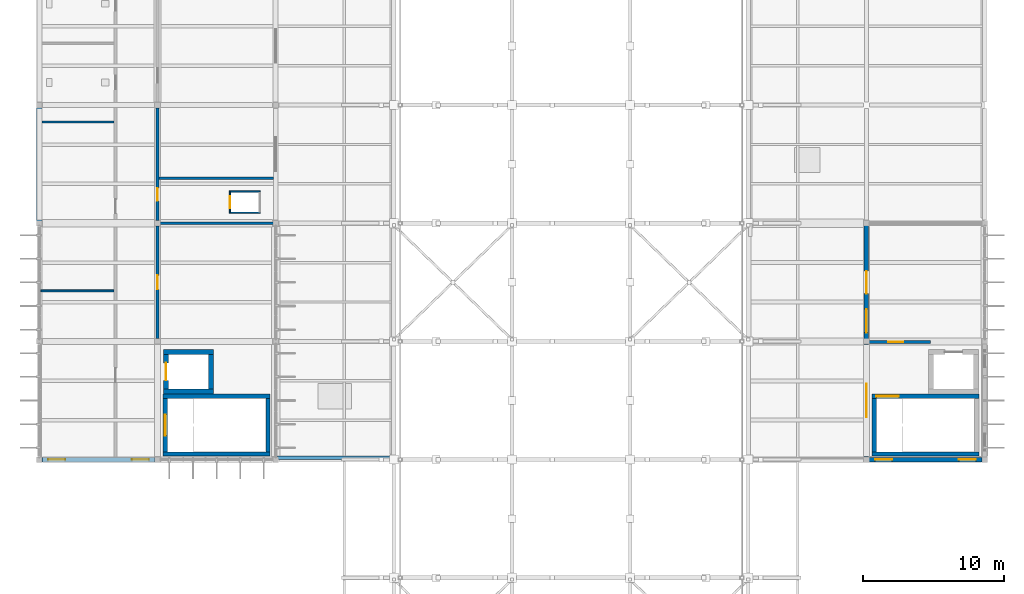
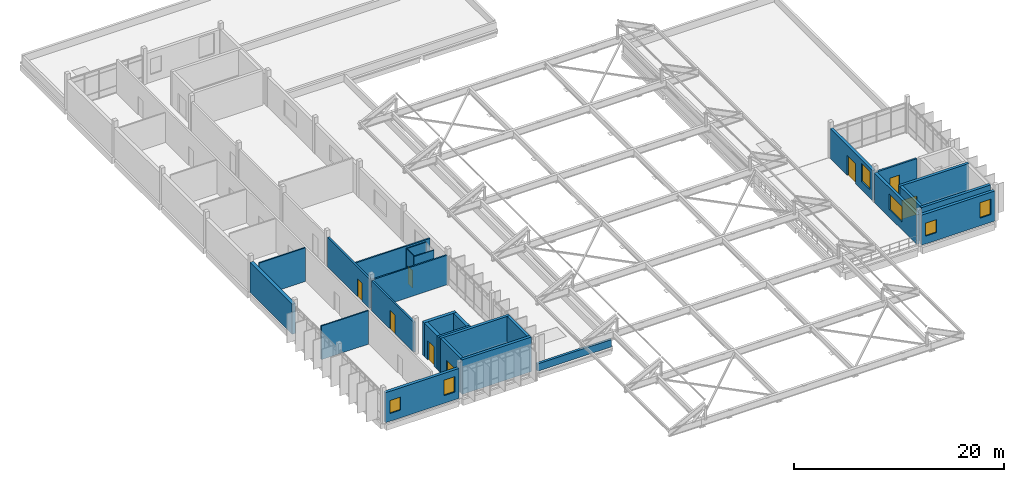
# One storey, part 35 of 41: 27 walls, 8 doors, 6 windows, 14 openings.
"""IFC4 building model written with IfcOpenShell, lengths in metres."""

from ifc_helpers import new_model, si_unit, direction, frame, frame_2d, origin, place, context, subcontext, project, spatial, rectangle, extrude, material, layer, layer_set, type_object, element, fill, save


model = new_model("IFC4")

# Units and contexts
model_context = context("Model", 3, precision=1e-05, world=origin(), true_north=direction((0.0, 1.0)))
body_context = subcontext(model_context, "Body", "Model", "MODEL_VIEW")
ifc_project = project(units=[si_unit("LENGTHUNIT", "METRE"), si_unit("AREAUNIT", "SQUARE_METRE"), si_unit("VOLUMEUNIT", "CUBIC_METRE"), si_unit("PLANEANGLEUNIT", "RADIAN"), si_unit("MASSUNIT", "GRAM", prefix="KILO")], contexts=[model_context])

# Site, building, storey
site_placement = place(None, origin())
site = spatial("IfcSite", under=ifc_project, at=site_placement, CompositionType="ELEMENT")
building_placement = place(site_placement, origin())
building = spatial("IfcBuilding", under=site, at=building_placement, Name="Vireocrest Preparatory School", CompositionType="ELEMENT")
storey_placement = place(building_placement, frame((0.0, 0.0, 21.60009765625)))
storey = spatial("IfcBuildingStorey", under=building, at=storey_placement, Name="L05", CompositionType="ELEMENT", Elevation=21.60009765625)

# Walls
ifc_material_1 = material(Name="Gypsum board on cold-formed steel studs", Category="steel")
ifc_layer_1 = layer(ifc_material_1, 0.139892578125)
ifc_layer_set_1 = layer_set([ifc_layer_1], Name="Gypsum board on cold-formed steel studs")
wall_type_1 = type_object("IfcWallType", Name="Classroom Acoustic Partition Wall 140", PredefinedType="PARTITIONING", material=ifc_layer_set_1)
wall_1_placement = place(storey_placement, frame((42.10498046875, 55.800048828125, 0.0), z_axis=(0.0, 0.0, 1.0), x_axis=(1.0, 0.0, 0.0)))
element("IfcWall", 1, at=wall_1_placement, inside=storey, type_object=wall_type_1, Name="Interior Partition W03 IW_L05_0326", PredefinedType="PARTITIONING", context=body_context, shape_type="SweptSolid", body=[
    extrude(rectangle(XDim=5.18994140625, YDim=0.139892578125, at=frame_2d((2.594970703125, 0.0))), origin(), (0.0, 0.0, 1.0), 3.89990234375),
])
wall_2_placement = place(storey_placement, frame((42.195068359375, 67.800048828125, 0.0), z_axis=(0.0, 0.0, 1.0), x_axis=(1.0, 0.0, 0.0)))
element("IfcWall", 2, at=wall_2_placement, inside=storey, type_object=wall_type_1, Name="Interior Partition W03 IW_L05_0327", PredefinedType="PARTITIONING", context=body_context, shape_type="SweptSolid", body=[
    extrude(rectangle(XDim=5.099853515625, YDim=0.139892578125, at=frame_2d((2.5498046875, 0.0))), origin(), (0.0, 0.0, 1.0), 3.89990234375),
])

# Wall, opening, door
ifc_layer_2 = layer(ifc_material_1, 0.199951171875)
ifc_layer_set_2 = layer_set([ifc_layer_2], Name="Gypsum board on cold-formed steel studs")
wall_type_2 = type_object("IfcWallType", Name="Corridor One-Hour Fire Partition 200", PredefinedType="PARTITIONING", material=ifc_layer_set_2)
wall_3_placement = place(storey_placement, frame((50.39990234375, 52.409912109375, 0.0), z_axis=(0.0, 0.0, 1.0), x_axis=(0.0, 1.0, 0.0)))
wall_3 = element("IfcWall", 3, at=wall_3_placement, inside=storey, type_object=wall_type_2, Name="Interior Partition W06 IW_L05_0336", PredefinedType="PARTITIONING", context=body_context, shape_type="SweptSolid", body=[
    extrude(rectangle(XDim=7.97998046875, YDim=0.199951171875, at=frame_2d((3.989990234375, 0.0))), origin(), (0.0, 0.0, 1.0), 3.47998046875),
])
opening_1_placement = place(wall_3_placement, frame((3.489990234375, 0.0, 0.0)))
opening_1 = element("IfcOpeningElement", 4, at=opening_1_placement, cuts=wall_3, Name="Opening D-L05-W5E01", PredefinedType="OPENING", context=body_context, shape_type="SweptSolid", body=[
    extrude(rectangle(XDim=1.0, YDim=2.14990234375, at=frame_2d((0.5, 1.074951171875))), frame((0.0, 0.10986328125, 0.0), z_axis=(0.0, -1.0, 0.0), x_axis=(1.0, 0.0, 0.0)), (0.0, 0.0, 1.0), 0.219970703125),
])
ifc_material_2 = material(Name="Solid-core architectural birch timber", Category="wood")
door_type_1 = type_object("IfcDoorType", Name="Classroom Acoustic Timber Door 1000x2150", OperationType="NOTDEFINED", PredefinedType="DOOR", material=ifc_material_2)
door_1_placement = place(opening_1_placement, origin())
door_1 = element("IfcDoor", 5, at=door_1_placement, inside=storey, type_object=door_type_1, Name="Interior Door D-L05-W5E01", OperationType="SINGLE_SWING_RIGHT", OverallHeight=2.14990234375, OverallWidth=1.0, PredefinedType="DOOR", context=body_context, shape_type="SweptSolid", body=[
    extrude(rectangle(XDim=1.0, YDim=2.14990234375, at=frame_2d((0.5, 1.074951171875))), frame((0.0, 0.02490234375, 0.0), z_axis=(0.0, -1.0, 0.0), x_axis=(1.0, 0.0, 0.0)), (0.0, 0.0, 1.0), 0.050048828125),
])
fill(opening_1, door_1)

wall_4_placement = place(storey_placement, frame((50.39990234375, 60.81005859375, 0.0), z_axis=(0.0, 0.0, 1.0), x_axis=(0.0, 1.0, 0.0)))
wall_4 = element("IfcWall", 6, at=wall_4_placement, inside=storey, type_object=wall_type_2, Name="Interior Partition W06 IW_L05_0337", PredefinedType="PARTITIONING", context=body_context, shape_type="SweptSolid", body=[
    extrude(rectangle(XDim=7.97998046875, YDim=0.199951171875, at=frame_2d((3.989990234375, 0.0))), origin(), (0.0, 0.0, 1.0), 3.429931640625),
])
opening_2_placement = place(wall_4_placement, frame((1.389892578125, 0.0, 0.0)))
opening_2 = element("IfcOpeningElement", 7, at=opening_2_placement, cuts=wall_4, Name="Opening D-L05-W5E02", PredefinedType="OPENING", context=body_context, shape_type="SweptSolid", body=[
    extrude(rectangle(XDim=0.89990234375, YDim=2.10009765625, at=frame_2d((0.449951171875, 1.050048828125))), frame((0.0, 0.10986328125, 0.0), z_axis=(0.0, -1.0, 0.0), x_axis=(1.0, 0.0, 0.0)), (0.0, 0.0, 1.0), 0.219970703125),
])
door_type_2 = type_object("IfcDoorType", Name="Office Timber Door 900x2100", OperationType="NOTDEFINED", PredefinedType="DOOR", material=ifc_material_2)
door_2_placement = place(opening_2_placement, origin())
door_2 = element("IfcDoor", 8, at=door_2_placement, inside=storey, type_object=door_type_2, Name="Interior Door D-L05-W5E02", OperationType="SINGLE_SWING_LEFT", OverallHeight=2.10009765625, OverallWidth=0.89990234375, PredefinedType="DOOR", context=body_context, shape_type="SweptSolid", body=[
    extrude(rectangle(XDim=0.89990234375, YDim=2.10009765625, at=frame_2d((0.449951171875, 1.050048828125))), frame((0.0, 0.02490234375, 0.0), z_axis=(0.0, -1.0, 0.0), x_axis=(1.0, 0.0, 0.0)), (0.0, 0.0, 1.0), 0.050048828125),
])
fill(opening_2, door_2)

wall_5_placement = place(storey_placement, frame((100.965087890625, 52.14990234375, 0.0), z_axis=(0.0, 0.0, 1.0), x_axis=(1.0, 0.0, 0.0)))
wall_5 = element("IfcWall", 9, at=wall_5_placement, inside=storey, type_object=wall_type_2, Name="Interior Partition W06 IW_L05_0341", PredefinedType="PARTITIONING", context=body_context, shape_type="SweptSolid", body=[
    extrude(rectangle(XDim=4.375, YDim=0.199951171875, at=frame_2d((2.1875, 0.0))), origin(), (0.0, 0.0, 1.0), 3.429931640625),
])
opening_3_placement = place(wall_5_placement, frame((1.385009765625, 0.0, 0.0)))
opening_3 = element("IfcOpeningElement", 10, at=opening_3_placement, cuts=wall_5, Name="Opening D-L05-ES01", PredefinedType="OPENING", context=body_context, shape_type="SweptSolid", body=[
    extrude(rectangle(XDim=1.050048828125, YDim=2.199951171875, at=frame_2d((0.52490234375, 1.10009765625))), frame((0.0, 0.10986328125, 0.0), z_axis=(0.0, -1.0, 0.0), x_axis=(1.0, 0.0, 0.0)), (0.0, 0.0, 1.0), 0.219970703125),
])
ifc_material_3 = material(Name="Painted galvanized hollow steel", Category="steel")
door_type_3 = type_object("IfcDoorType", Name="Laboratory Fire Door 1050x2200", OperationType="NOTDEFINED", PredefinedType="DOOR", material=ifc_material_3)
door_3_placement = place(opening_3_placement, origin())
door_3 = element("IfcDoor", 11, at=door_3_placement, inside=storey, type_object=door_type_3, Name="Interior Door D-L05-ES01", OperationType="SINGLE_SWING_RIGHT", OverallHeight=2.199951171875, OverallWidth=1.050048828125, PredefinedType="DOOR", context=body_context, shape_type="SweptSolid", body=[
    extrude(rectangle(XDim=1.050048828125, YDim=2.199951171875, at=frame_2d((0.52490234375, 1.10009765625))), frame((0.0, 0.02490234375, 0.0), z_axis=(0.0, -1.0, 0.0), x_axis=(1.0, 0.0, 0.0)), (0.0, 0.0, 1.0), 0.050048828125),
])
fill(opening_3, door_3)

# Wall, openings, windows
ifc_material_4 = material(Name="Precast white concrete 40 MPa", Category="concrete")
ifc_layer_3 = layer(ifc_material_4, 0.320068359375)
ifc_layer_set_3 = layer_set([ifc_layer_3], Name="Precast white concrete 40 MPa")
wall_type_3 = type_object("IfcWallType", Name="High-Tech Insulated Rainscreen External Wall 320", PredefinedType="SOLIDWALL", material=ifc_layer_set_3)
wall_6_placement = place(storey_placement, frame((100.97509765625, 43.800048828125, 0.0), z_axis=(0.0, 0.0, 1.0), x_axis=(1.0, 0.0, 0.0)))
wall_6 = element("IfcWall", 12, at=wall_6_placement, inside=storey, type_object=wall_type_3, Name="External Wall W12 EW_L05_0395", PredefinedType="SOLIDWALL", context=body_context, shape_type="SweptSolid", body=[
    extrude(rectangle(XDim=8.0498046875, YDim=0.320068359375, at=frame_2d((4.02490234375, 0.0))), origin(), (0.0, 0.0, 1.0), 3.47998046875),
])
opening_4_placement = place(wall_6_placement, frame((0.449951171875, 0.0, 0.89990234375)))
opening_4 = element("IfcOpeningElement", 13, at=opening_4_placement, cuts=wall_6, Name="Opening WN01", PredefinedType="OPENING", context=body_context, shape_type="SweptSolid", body=[
    extrude(rectangle(XDim=1.199951171875, YDim=1.5, at=frame_2d((0.60009765625, 0.75))), frame((0.0, 0.169921875, 0.0), z_axis=(0.0, -1.0, 0.0), x_axis=(1.0, 0.0, 0.0)), (0.0, 0.0, 1.0), 0.340087890625),
])
opening_5_placement = place(wall_6_placement, frame((6.39990234375, 0.0, 0.89990234375)))
opening_5 = element("IfcOpeningElement", 14, at=opening_5_placement, cuts=wall_6, Name="Opening WN02", PredefinedType="OPENING", context=body_context, shape_type="SweptSolid", body=[
    extrude(rectangle(XDim=1.199951171875, YDim=1.800048828125, at=frame_2d((0.60009765625, 0.89990234375))), frame((0.0, 0.169921875, 0.0), z_axis=(0.0, -1.0, 0.0), x_axis=(1.0, 0.0, 0.0)), (0.0, 0.0, 1.0), 0.340087890625),
])
ifc_material_5 = material(Name="Thermally broken aluminium EN AW-6063-T6", Category="aluminium")
window_type_1 = type_object("IfcWindowType", Name="Counseling Window 1200x1800", PartitioningType="SINGLE_PANEL", PredefinedType="WINDOW", material=ifc_material_5)
window_1_placement = place(opening_5_placement, origin())
window_1 = element("IfcWindow", 15, at=window_1_placement, inside=storey, type_object=window_type_1, Name="Window W-L05-199 (WN02)", OverallHeight=1.800048828125, OverallWidth=1.199951171875, PartitioningType="SINGLE_PANEL", PredefinedType="WINDOW", context=body_context, shape_type="SweptSolid", body=[
    extrude(rectangle(XDim=1.199951171875, YDim=1.800048828125, at=frame_2d((0.60009765625, 0.89990234375))), frame((0.0, 0.030029296875, 0.0), z_axis=(0.0, -1.0, 0.0), x_axis=(1.0, 0.0, 0.0)), (0.0, 0.0, 1.0), 0.06005859375),
])
fill(opening_5, window_1)
window_type_2 = type_object("IfcWindowType", Name="Office Punched Window 1200x1500", PartitioningType="SINGLE_PANEL", PredefinedType="WINDOW", material=ifc_material_5)
window_2_placement = place(opening_4_placement, origin())
window_2 = element("IfcWindow", 16, at=window_2_placement, inside=storey, type_object=window_type_2, Name="Window W-L05-198 (WN01)", OverallHeight=1.5, OverallWidth=1.199951171875, PartitioningType="SINGLE_PANEL", PredefinedType="WINDOW", context=body_context, shape_type="SweptSolid", body=[
    extrude(rectangle(XDim=1.199951171875, YDim=1.5, at=frame_2d((0.60009765625, 0.75))), frame((0.0, 0.030029296875, 0.0), z_axis=(0.0, -1.0, 0.0), x_axis=(1.0, 0.0, 0.0)), (0.0, 0.0, 1.0), 0.06005859375),
])
fill(opening_4, window_2)

# Wall, opening, window
wall_7_placement = place(storey_placement, frame((100.800048828125, 43.97509765625, 0.0), z_axis=(0.0, 0.0, 1.0), x_axis=(0.0, 1.0, 0.0)))
wall_7 = element("IfcWall", 17, at=wall_7_placement, inside=storey, type_object=wall_type_3, Name="External Wall W12 EW_L05_0399", PredefinedType="SOLIDWALL", context=body_context, shape_type="SweptSolid", body=[
    extrude(rectangle(XDim=8.0498046875, YDim=0.320068359375, at=frame_2d((4.02490234375, 0.0))), origin(), (0.0, 0.0, 1.0), 3.429931640625),
])
opening_6_placement = place(wall_7_placement, frame((2.824951171875, 0.0, 0.89990234375)))
opening_6 = element("IfcOpeningElement", 18, at=opening_6_placement, cuts=wall_7, Name="Opening WN12", PredefinedType="OPENING", context=body_context, shape_type="SweptSolid", body=[
    extrude(rectangle(XDim=2.39990234375, YDim=1.800048828125, at=frame_2d((1.199951171875, 0.89990234375))), frame((0.0, 0.169921875, 0.0), z_axis=(0.0, -1.0, 0.0), x_axis=(1.0, 0.0, 0.0)), (0.0, 0.0, 1.0), 0.340087890625),
])
window_type_3 = type_object("IfcWindowType", Name="Classroom Paired Window 2400x1800", PartitioningType="DOUBLE_PANEL_VERTICAL", PredefinedType="WINDOW", material=ifc_material_5)
window_3_placement = place(opening_6_placement, origin())
window_3 = element("IfcWindow", 19, at=window_3_placement, inside=storey, type_object=window_type_3, Name="Window W-L05-202 (WN12)", OverallHeight=1.800048828125, OverallWidth=2.39990234375, PartitioningType="SINGLE_PANEL", PredefinedType="WINDOW", context=body_context, shape_type="SweptSolid", body=[
    extrude(rectangle(XDim=2.39990234375, YDim=1.800048828125, at=frame_2d((1.199951171875, 0.89990234375))), frame((0.0, 0.030029296875, 0.0), z_axis=(0.0, -1.0, 0.0), x_axis=(1.0, 0.0, 0.0)), (0.0, 0.0, 1.0), 0.06005859375),
])
fill(opening_6, window_3)

# Wall, openings, window, door
wall_8_placement = place(storey_placement, frame((100.800048828125, 52.375, 0.0), z_axis=(0.0, 0.0, 1.0), x_axis=(0.0, 1.0, 0.0)))
wall_8 = element("IfcWall", 20, at=wall_8_placement, inside=storey, type_object=wall_type_3, Name="External Wall W12 EW_L05_0400", PredefinedType="SOLIDWALL", context=body_context, shape_type="SweptSolid", body=[
    extrude(rectangle(XDim=8.050048828125, YDim=0.320068359375, at=frame_2d((4.02490234375, 0.0))), origin(), (0.0, 0.0, 1.0), 3.47998046875),
])
opening_7_placement = place(wall_8_placement, frame((3.22509765625, 0.0, 0.0)))
opening_7 = element("IfcOpeningElement", 21, at=opening_7_placement, cuts=wall_8, Name="Opening TD-501", PredefinedType="OPENING", context=body_context, shape_type="SweptSolid", body=[
    extrude(rectangle(XDim=1.60009765625, YDim=2.300048828125, at=frame_2d((0.800048828125, 1.14990234375))), frame((0.0, 0.169921875, 0.0), z_axis=(0.0, -1.0, 0.0), x_axis=(1.0, 0.0, 0.0)), (0.0, 0.0, 1.0), 0.340087890625),
])
opening_8_placement = place(wall_8_placement, frame((0.449951171875, 0.0, 0.949951171875)))
opening_8 = element("IfcOpeningElement", 22, at=opening_8_placement, cuts=wall_8, Name="Opening WN06", PredefinedType="OPENING", context=body_context, shape_type="SweptSolid", body=[
    extrude(rectangle(XDim=1.679931640625, YDim=2.10009765625, at=frame_2d((0.83984375, 1.050048828125))), frame((0.0, 0.169921875, 0.0), z_axis=(0.0, -1.0, 0.0), x_axis=(1.0, 0.0, 0.0)), (0.0, 0.0, 1.0), 0.340087890625),
])
window_type_4 = type_object("IfcWindowType", Name="Module Classroom Tall Window 1680x2100", PartitioningType="SINGLE_PANEL", PredefinedType="WINDOW", material=ifc_material_5)
window_4_placement = place(opening_8_placement, origin())
window_4 = element("IfcWindow", 23, at=window_4_placement, inside=storey, type_object=window_type_4, Name="Window W-L05-203 (WN06)", OverallHeight=2.10009765625, OverallWidth=1.679931640625, PartitioningType="SINGLE_PANEL", PredefinedType="WINDOW", context=body_context, shape_type="SweptSolid", body=[
    extrude(rectangle(XDim=1.679931640625, YDim=2.10009765625, at=frame_2d((0.83984375, 1.050048828125))), frame((0.0, 0.030029296875, 0.0), z_axis=(0.0, -1.0, 0.0), x_axis=(1.0, 0.0, 0.0)), (0.0, 0.0, 1.0), 0.06005859375),
])
fill(opening_8, window_4)
ifc_material_6 = material(Name="Thermally broken glazed aluminium", Category="aluminium")
door_type_4 = type_object("IfcDoorType", Name="Terrace Glazed Double Door 1600x2300", OperationType="DOUBLE_DOOR_SINGLE_SWING", PredefinedType="DOOR", material=ifc_material_6)
door_4_placement = place(opening_7_placement, origin())
door_4 = element("IfcDoor", 24, at=door_4_placement, inside=storey, type_object=door_type_4, Name="Fifth-Floor Botanical Terrace Door TD-501", OperationType="DOUBLE_DOOR_SINGLE_SWING", OverallHeight=2.300048828125, OverallWidth=1.60009765625, PredefinedType="DOOR", context=body_context, shape_type="SweptSolid", body=[
    extrude(rectangle(XDim=1.60009765625, YDim=2.300048828125, at=frame_2d((0.800048828125, 1.14990234375))), frame((0.0, 0.02490234375, 0.0), z_axis=(0.0, -1.0, 0.0), x_axis=(1.0, 0.0, 0.0)), (0.0, 0.0, 1.0), 0.050048828125),
])
fill(opening_7, door_4)

# Wall, openings, windows
wall_9_placement = place(storey_placement, frame((42.175048828125, 43.800048828125, 0.0), z_axis=(0.0, 0.0, 1.0), x_axis=(1.0, 0.0, 0.0)))
wall_9 = element("IfcWall", 25, at=wall_9_placement, inside=storey, type_object=wall_type_3, Name="External Wall W12 EW_L05_0401", PredefinedType="SOLIDWALL", context=body_context, shape_type="SweptSolid", body=[
    extrude(rectangle(XDim=8.050048828125, YDim=0.320068359375, at=frame_2d((4.02490234375, 0.0))), origin(), (0.0, 0.0, 1.0), 3.47998046875),
])
opening_9_placement = place(wall_9_placement, frame((0.449951171875, 0.0, 0.89990234375)))
opening_9 = element("IfcOpeningElement", 26, at=opening_9_placement, cuts=wall_9, Name="Opening WN01", PredefinedType="OPENING", context=body_context, shape_type="SweptSolid", body=[
    extrude(rectangle(XDim=1.199951171875, YDim=1.5, at=frame_2d((0.60009765625, 0.75))), frame((0.0, 0.169921875, 0.0), z_axis=(0.0, -1.0, 0.0), x_axis=(1.0, 0.0, 0.0)), (0.0, 0.0, 1.0), 0.340087890625),
])
opening_10_placement = place(wall_9_placement, frame((6.39990234375, 0.0, 0.89990234375)))
opening_10 = element("IfcOpeningElement", 27, at=opening_10_placement, cuts=wall_9, Name="Opening WN02", PredefinedType="OPENING", context=body_context, shape_type="SweptSolid", body=[
    extrude(rectangle(XDim=1.199951171875, YDim=1.800048828125, at=frame_2d((0.60009765625, 0.89990234375))), frame((0.0, 0.169921875, 0.0), z_axis=(0.0, -1.0, 0.0), x_axis=(1.0, 0.0, 0.0)), (0.0, 0.0, 1.0), 0.340087890625),
])
window_5_placement = place(opening_10_placement, origin())
window_5 = element("IfcWindow", 28, at=window_5_placement, inside=storey, type_object=window_type_1, Name="Window W-L05-205 (WN02)", OverallHeight=1.800048828125, OverallWidth=1.199951171875, PartitioningType="SINGLE_PANEL", PredefinedType="WINDOW", context=body_context, shape_type="SweptSolid", body=[
    extrude(rectangle(XDim=1.199951171875, YDim=1.800048828125, at=frame_2d((0.60009765625, 0.89990234375))), frame((0.0, 0.030029296875, 0.0), z_axis=(0.0, -1.0, 0.0), x_axis=(1.0, 0.0, 0.0)), (0.0, 0.0, 1.0), 0.06005859375),
])
fill(opening_10, window_5)
window_6_placement = place(opening_9_placement, origin())
window_6 = element("IfcWindow", 29, at=window_6_placement, inside=storey, type_object=window_type_2, Name="Window W-L05-204 (WN01)", OverallHeight=1.5, OverallWidth=1.199951171875, PartitioningType="SINGLE_PANEL", PredefinedType="WINDOW", context=body_context, shape_type="SweptSolid", body=[
    extrude(rectangle(XDim=1.199951171875, YDim=1.5, at=frame_2d((0.60009765625, 0.75))), frame((0.0, 0.030029296875, 0.0), z_axis=(0.0, -1.0, 0.0), x_axis=(1.0, 0.0, 0.0)), (0.0, 0.0, 1.0), 0.06005859375),
])
fill(opening_9, window_6)

# Walls
ifc_layer_4 = layer(ifc_material_4, 0.260009765625)
ifc_layer_set_4 = layer_set([ifc_layer_4], Name="Precast white concrete 40 MPa")
wall_type_4 = type_object("IfcWallType", Name="Insulated Roof Parapet Wall 260", PredefinedType="PARAPET", material=ifc_layer_set_4)
wall_10_placement = place(storey_placement, frame((58.929931640625, 43.929931640625, 0.0), z_axis=(0.0, 0.0, 1.0), x_axis=(1.0, 0.0, 0.0)))
element("IfcWall", 30, at=wall_10_placement, inside=storey, type_object=wall_type_4, Name="Roof Parapet W09 L05_WEST_COURT_ROOF-26", PredefinedType="PARAPET", context=body_context, shape_type="SweptSolid", body=[
    extrude(rectangle(XDim=8.14013671875, YDim=0.260009765625, at=frame_2d((4.070068359375, 0.0))), origin(), (0.0, 0.0, 1.0), 0.849853515625),
])
ifc_layer_5 = layer(ifc_material_1, 0.159912109375)
ifc_layer_set_5 = layer_set([ifc_layer_5], Name="Gypsum board on cold-formed steel studs")
wall_type_5 = type_object("IfcWallType", Name="Laboratory Wet-Service Partition Wall 160", PredefinedType="PARTITIONING", material=ifc_layer_set_5)
wall_11_placement = place(storey_placement, frame((50.5048828125, 60.60009765625, 0.0), z_axis=(0.0, 0.0, 1.0), x_axis=(1.0, 0.0, 0.0)))
element("IfcWall", 31, at=wall_11_placement, inside=storey, type_object=wall_type_5, Name="Interior Partition W04 IW_L05_0333", PredefinedType="PARTITIONING", context=body_context, shape_type="SweptSolid", body=[
    extrude(rectangle(XDim=8.190185546875, YDim=0.159912109375, at=frame_2d((4.09521484375, 0.0))), origin(), (0.0, 0.0, 1.0), 3.429931640625),
])
wall_12_placement = place(storey_placement, frame((50.5048828125, 63.800048828125, 0.0), z_axis=(0.0, 0.0, 1.0), x_axis=(1.0, 0.0, 0.0)))
element("IfcWall", 32, at=wall_12_placement, inside=storey, type_object=wall_type_5, Name="Interior Partition W04 IW_L05_0334", PredefinedType="PARTITIONING", context=body_context, shape_type="SweptSolid", body=[
    extrude(rectangle(XDim=8.130126953125, YDim=0.159912109375, at=frame_2d((4.06494140625, 0.0))), origin(), (0.0, 0.0, 1.0), 3.450927734375),
])
ifc_layer_6 = layer(ifc_material_1, 0.10009765625)
ifc_layer_set_6 = layer_set([ifc_layer_6], Name="Gypsum board on cold-formed steel studs")
wall_type_6 = type_object("IfcWallType", Name="Riser Shaft Lining Wall 100", PredefinedType="PARTITIONING", material=ifc_layer_set_6)
for number, where, z_axis, x_axis, name in (
    (33, (55.5, 61.35009765625, 0.0), (0.0, 0.0, 1.0), (1.0, 0.0, 0.0), "MEP Riser Shaft Wall W01 WEST_MEP-L05-S"),
    (34, (55.5, 62.85009765625, 0.0), (0.0, 0.0, 1.0), (1.0, 0.0, 0.0), "MEP Riser Shaft Wall W01 WEST_MEP-L05-N"),
):
    element("IfcWall", number, at=place(storey_placement, frame(where, z_axis=z_axis, x_axis=x_axis)), inside=storey, type_object=wall_type_6, Name=name, PredefinedType="PARTITIONING", context=body_context, shape_type="SweptSolid", body=[
        extrude(rectangle(XDim=2.199951171875, YDim=0.10009765625, at=frame_2d((1.10009765625, 0.0))), origin(), (0.0, 0.0, 1.0), 3.89990234375),
    ])

# Wall, opening, door
wall_13_placement = place(storey_placement, frame((55.550048828125, 61.39990234375, 0.0), z_axis=(0.0, 0.0, 1.0), x_axis=(0.0, 1.0, 0.0)))
wall_13 = element("IfcWall", 35, at=wall_13_placement, inside=storey, type_object=wall_type_6, Name="MEP Riser Shaft Wall W01 WEST_MEP-L05-W", PredefinedType="PARTITIONING", context=body_context, shape_type="SweptSolid", body=[
    extrude(rectangle(XDim=1.400146484375, YDim=0.10009765625, at=frame_2d((0.7001953125, 0.0))), origin(), (0.0, 0.0, 1.0), 3.89990234375),
])
opening_11_placement = place(wall_13_placement, frame((0.27490234375, 0.0, 0.0)))
opening_11 = element("IfcOpeningElement", 36, at=opening_11_placement, cuts=wall_13, Name="Opening D-L05-RSW", PredefinedType="OPENING", context=body_context, shape_type="SweptSolid", body=[
    extrude(rectangle(XDim=0.85009765625, YDim=2.050048828125, at=frame_2d((0.425048828125, 1.02490234375))), frame((0.0, 0.06005859375, 0.0), z_axis=(0.0, -1.0, 0.0), x_axis=(1.0, 0.0, 0.0)), (0.0, 0.0, 1.0), 0.1201171875),
])
door_type_5 = type_object("IfcDoorType", Name="Riser Access Steel Door 850x2050", OperationType="NOTDEFINED", PredefinedType="DOOR", material=ifc_material_3)
door_5_placement = place(opening_11_placement, origin())
door_5 = element("IfcDoor", 37, at=door_5_placement, inside=storey, type_object=door_type_5, Name="Riser Shaft Access Door D-L05-RSW", OperationType="SINGLE_SWING_RIGHT", OverallHeight=2.050048828125, OverallWidth=0.85009765625, PredefinedType="DOOR", context=body_context, shape_type="SweptSolid", body=[
    extrude(rectangle(XDim=0.85009765625, YDim=2.050048828125, at=frame_2d((0.425048828125, 1.02490234375))), frame((0.0, 0.02490234375, 0.0), z_axis=(0.0, -1.0, 0.0), x_axis=(1.0, 0.0, 0.0)), (0.0, 0.0, 1.0), 0.050048828125),
])
fill(opening_11, door_5)

# Walls
ifc_material_7 = material(Name="Concrete 45 MPa", Category="concrete")
ifc_layer_7 = layer(ifc_material_7, 0.35009765625)
ifc_layer_set_7 = layer_set([ifc_layer_7], Name="Concrete 45 MPa")
wall_type_7 = type_object("IfcWallType", Name="Two-Hour RC Lift Core Shear Wall 350", PredefinedType="SHEAR", material=ifc_layer_set_7)
for number, where, z_axis, x_axis, name in (
    (38, (50.824951171875, 48.64990234375, 0.0), (0.0, 0.0, 1.0), (1.0, 0.0, 0.0), "Lift Core Shear Wall LF1 L05-S"),
    (39, (50.824951171875, 51.449951171875, 0.0), (0.0, 0.0, 1.0), (1.0, 0.0, 0.0), "Lift Core Shear Wall LF1 L05-N"),
):
    element("IfcWall", number, at=place(storey_placement, frame(where, z_axis=z_axis, x_axis=x_axis)), inside=storey, type_object=wall_type_7, Name=name, PredefinedType="SHEAR", context=body_context, shape_type="SweptSolid", body=[
        extrude(rectangle(XDim=3.550048828125, YDim=0.35009765625, at=frame_2d((1.77490234375, 0.0))), origin(), (0.0, 0.0, 1.0), 3.919921875),
    ])

# Wall, opening, door
wall_14_placement = place(storey_placement, frame((51.0, 48.824951171875, 0.0), z_axis=(0.0, 0.0, 1.0), x_axis=(0.0, 1.0, 0.0)))
wall_14 = element("IfcWall", 40, at=wall_14_placement, inside=storey, type_object=wall_type_7, Name="Lift Core Shear Wall LF1 L05-W", PredefinedType="SHEAR", context=body_context, shape_type="SweptSolid", body=[
    extrude(rectangle(XDim=2.449951171875, YDim=0.35009765625, at=frame_2d((1.22509765625, 0.0))), origin(), (0.0, 0.0, 1.0), 3.919921875),
])
opening_12_placement = place(wall_14_placement, frame((0.60009765625, 0.0, 0.0)))
opening_12 = element("IfcOpeningElement", 41, at=opening_12_placement, cuts=wall_14, Name="Opening LD-LF1-L05", PredefinedType="OPENING", context=body_context, shape_type="SweptSolid", body=[
    extrude(rectangle(XDim=1.25, YDim=2.25, at=frame_2d((0.625, 1.125))), frame((0.0, 0.18505859375, 0.0), z_axis=(0.0, -1.0, 0.0), x_axis=(1.0, 0.0, 0.0)), (0.0, 0.0, 1.0), 0.3701171875),
])
door_type_6 = type_object("IfcDoorType", Name="Stretcher Lift Landing Sliding Door 1250x2250", OperationType="DOUBLE_DOOR_SLIDING", PredefinedType="DOOR", material=ifc_material_3)
door_6_placement = place(opening_12_placement, origin())
door_6 = element("IfcDoor", 42, at=door_6_placement, inside=storey, type_object=door_type_6, Name="Lift Landing Door LD-LF1-L05", OperationType="DOUBLE_DOOR_SLIDING", OverallHeight=2.25, OverallWidth=1.25, PredefinedType="DOOR", context=body_context, shape_type="SweptSolid", body=[
    extrude(rectangle(XDim=1.25, YDim=2.25, at=frame_2d((0.625, 1.125))), frame((0.0, 0.02490234375, 0.0), z_axis=(0.0, -1.0, 0.0), x_axis=(1.0, 0.0, 0.0)), (0.0, 0.0, 1.0), 0.050048828125),
])
fill(opening_12, door_6)

# Walls
wall_15_placement = place(storey_placement, frame((54.199951171875, 48.824951171875, 0.0), z_axis=(0.0, 0.0, 1.0), x_axis=(0.0, 1.0, 0.0)))
element("IfcWall", 43, at=wall_15_placement, inside=storey, type_object=wall_type_7, Name="Lift Core Shear Wall LF1 L05-E", PredefinedType="SHEAR", context=body_context, shape_type="SweptSolid", body=[
    extrude(rectangle(XDim=2.449951171875, YDim=0.35009765625, at=frame_2d((1.22509765625, 0.0))), origin(), (0.0, 0.0, 1.0), 3.919921875),
])
ifc_layer_8 = layer(ifc_material_7, 0.3798828125)
ifc_layer_set_8 = layer_set([ifc_layer_8], Name="Concrete 45 MPa")
wall_type_8 = type_object("IfcWallType", Name="Two-Hour RC Lot-Line Shear Wall 380", PredefinedType="SHEAR", material=ifc_layer_set_8)
wall_16_placement = place(storey_placement, frame((42.0, 60.77490234375, 0.0), z_axis=(0.0, 0.0, 1.0), x_axis=(0.0, 1.0, 0.0)))
element("IfcWall", 44, at=wall_16_placement, inside=storey, type_object=wall_type_8, Name="External Wall PW1 PARTY_L05_0414", PredefinedType="SHEAR", context=body_context, shape_type="SweptSolid", body=[
    extrude(rectangle(XDim=8.050048828125, YDim=0.3798828125, at=frame_2d((4.02490234375, 0.0))), origin(), (0.0, 0.0, 1.0), 3.47998046875),
])
ifc_layer_9 = layer(ifc_material_7, 0.300048828125)
ifc_layer_set_9 = layer_set([ifc_layer_9], Name="Concrete 45 MPa")
wall_type_9 = type_object("IfcWallType", Name="Two-Hour RC Stair Shaft Shear Wall 300", PredefinedType="SHEAR", material=ifc_layer_set_9)
for number, where, z_axis, x_axis, name in (
    (45, (50.800048828125, 44.199951171875, 0.0), (0.0, 0.0, 1.0), (1.0, 0.0, 0.0), "Stair Core Shear Wall ST1 L05-S"),
    (46, (50.800048828125, 48.300048828125, 0.0), (0.0, 0.0, 1.0), (1.0, 0.0, 0.0), "Stair Core Shear Wall ST1 L05-N"),
):
    element("IfcWall", number, at=place(storey_placement, frame(where, z_axis=z_axis, x_axis=x_axis)), inside=storey, type_object=wall_type_9, Name=name, PredefinedType="SHEAR", context=body_context, shape_type="SweptSolid", body=[
        extrude(rectangle(XDim=7.599853515625, YDim=0.300048828125, at=frame_2d((3.7998046875, 0.0))), origin(), (0.0, 0.0, 1.0), 4.02490234375),
    ])

# Wall, opening, door
wall_17_placement = place(storey_placement, frame((50.949951171875, 44.35009765625, 0.0), z_axis=(0.0, 0.0, 1.0), x_axis=(0.0, 1.0, 0.0)))
wall_17 = element("IfcWall", 47, at=wall_17_placement, inside=storey, type_object=wall_type_9, Name="Stair Core Shear Wall ST1 L05-W", PredefinedType="SHEAR", context=body_context, shape_type="SweptSolid", body=[
    extrude(rectangle(XDim=3.7998046875, YDim=0.300048828125, at=frame_2d((1.89990234375, 0.0))), origin(), (0.0, 0.0, 1.0), 4.02490234375),
])
opening_13_placement = place(wall_17_placement, frame((1.14990234375, 0.0, 0.0)))
opening_13 = element("IfcOpeningElement", 48, at=opening_13_placement, cuts=wall_17, Name="Opening SD-ST1-L05", PredefinedType="OPENING", context=body_context, shape_type="SweptSolid", body=[
    extrude(rectangle(XDim=1.5, YDim=2.199951171875, at=frame_2d((0.75, 1.10009765625))), frame((0.0, 0.159912109375, 0.0), z_axis=(0.0, -1.0, 0.0), x_axis=(1.0, 0.0, 0.0)), (0.0, 0.0, 1.0), 0.320068359375),
])
door_type_7 = type_object("IfcDoorType", Name="Stair Enclosure Fire Door 1500x2200", OperationType="DOUBLE_DOOR_SINGLE_SWING", PredefinedType="DOOR", material=ifc_material_3)
door_7_placement = place(opening_13_placement, origin())
door_7 = element("IfcDoor", 49, at=door_7_placement, inside=storey, type_object=door_type_7, Name="Stair Enclosure Fire Door SD-ST1-L05", OperationType="DOUBLE_DOOR_SINGLE_SWING", OverallHeight=2.199951171875, OverallWidth=1.5, PredefinedType="DOOR", context=body_context, shape_type="SweptSolid", body=[
    extrude(rectangle(XDim=1.5, YDim=2.199951171875, at=frame_2d((0.75, 1.10009765625))), frame((0.0, 0.02490234375, 0.0), z_axis=(0.0, -1.0, 0.0), x_axis=(1.0, 0.0, 0.0)), (0.0, 0.0, 1.0), 0.050048828125),
])
fill(opening_13, door_7)

# Walls
wall_18_placement = place(storey_placement, frame((58.25, 44.35009765625, 0.0), z_axis=(0.0, 0.0, 1.0), x_axis=(0.0, 1.0, 0.0)))
element("IfcWall", 50, at=wall_18_placement, inside=storey, type_object=wall_type_9, Name="Stair Core Shear Wall ST1 L05-E", PredefinedType="SHEAR", context=body_context, shape_type="SweptSolid", body=[
    extrude(rectangle(XDim=3.7998046875, YDim=0.300048828125, at=frame_2d((1.89990234375, 0.0))), origin(), (0.0, 0.0, 1.0), 4.02490234375),
])
wall_19_placement = place(storey_placement, frame((101.199951171875, 44.199951171875, 0.0), z_axis=(0.0, 0.0, 1.0), x_axis=(1.0, 0.0, 0.0)))
element("IfcWall", 51, at=wall_19_placement, inside=storey, type_object=wall_type_9, Name="Stair Core Shear Wall ST2 L05-S", PredefinedType="SHEAR", context=body_context, shape_type="SweptSolid", body=[
    extrude(rectangle(XDim=7.60009765625, YDim=0.300048828125, at=frame_2d((3.800048828125, 0.0))), origin(), (0.0, 0.0, 1.0), 4.02490234375),
])

# Wall, opening, door
wall_20_placement = place(storey_placement, frame((101.199951171875, 48.300048828125, 0.0), z_axis=(0.0, 0.0, 1.0), x_axis=(1.0, 0.0, 0.0)))
wall_20 = element("IfcWall", 52, at=wall_20_placement, inside=storey, type_object=wall_type_9, Name="Stair Core Shear Wall ST2 L05-N", PredefinedType="SHEAR", context=body_context, shape_type="SweptSolid", body=[
    extrude(rectangle(XDim=7.60009765625, YDim=0.300048828125, at=frame_2d((3.800048828125, 0.0))), origin(), (0.0, 0.0, 1.0), 4.02490234375),
])
opening_14_placement = place(wall_20_placement, frame((0.300048828125, 0.0, 0.0)))
opening_14 = element("IfcOpeningElement", 53, at=opening_14_placement, cuts=wall_20, Name="Opening SD-ST2-L05", PredefinedType="OPENING", context=body_context, shape_type="SweptSolid", body=[
    extrude(rectangle(XDim=1.60009765625, YDim=2.199951171875, at=frame_2d((0.800048828125, 1.10009765625))), frame((0.0, 0.159912109375, 0.0), z_axis=(0.0, -1.0, 0.0), x_axis=(1.0, 0.0, 0.0)), (0.0, 0.0, 1.0), 0.320068359375),
])
door_type_8 = type_object("IfcDoorType", Name="Stair Core Lobby Fire Door 1600x2200", OperationType="DOUBLE_DOOR_SINGLE_SWING", PredefinedType="DOOR", material=ifc_material_3)
door_8_placement = place(opening_14_placement, origin())
door_8 = element("IfcDoor", 54, at=door_8_placement, inside=storey, type_object=door_type_8, Name="Stair Enclosure Fire Door SD-ST2-L05", OperationType="DOUBLE_DOOR_SINGLE_SWING", OverallHeight=2.199951171875, OverallWidth=1.60009765625, PredefinedType="DOOR", context=body_context, shape_type="SweptSolid", body=[
    extrude(rectangle(XDim=1.60009765625, YDim=2.199951171875, at=frame_2d((0.800048828125, 1.10009765625))), frame((0.0, 0.02490234375, 0.0), z_axis=(0.0, -1.0, 0.0), x_axis=(1.0, 0.0, 0.0)), (0.0, 0.0, 1.0), 0.050048828125),
])
fill(opening_14, door_8)

# Wall
wall_21_placement = place(storey_placement, frame((101.35009765625, 44.35009765625, 0.0), z_axis=(0.0, 0.0, 1.0), x_axis=(0.0, 1.0, 0.0)))
element("IfcWall", 55, at=wall_21_placement, inside=storey, type_object=wall_type_9, Name="Stair Core Shear Wall ST2 L05-W", PredefinedType="SHEAR", context=body_context, shape_type="SweptSolid", body=[
    extrude(rectangle(XDim=3.7998046875, YDim=0.300048828125, at=frame_2d((1.89990234375, 0.0))), origin(), (0.0, 0.0, 1.0), 4.02490234375),
])

save(model, "model.ifc")
